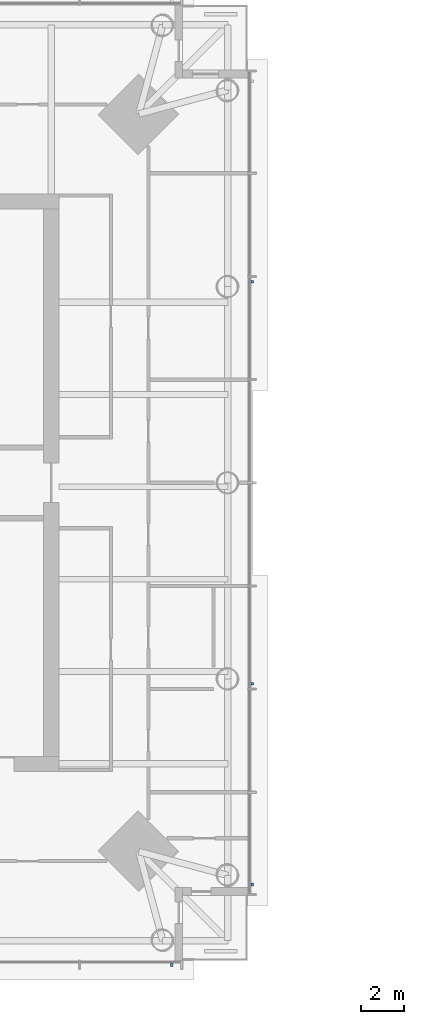
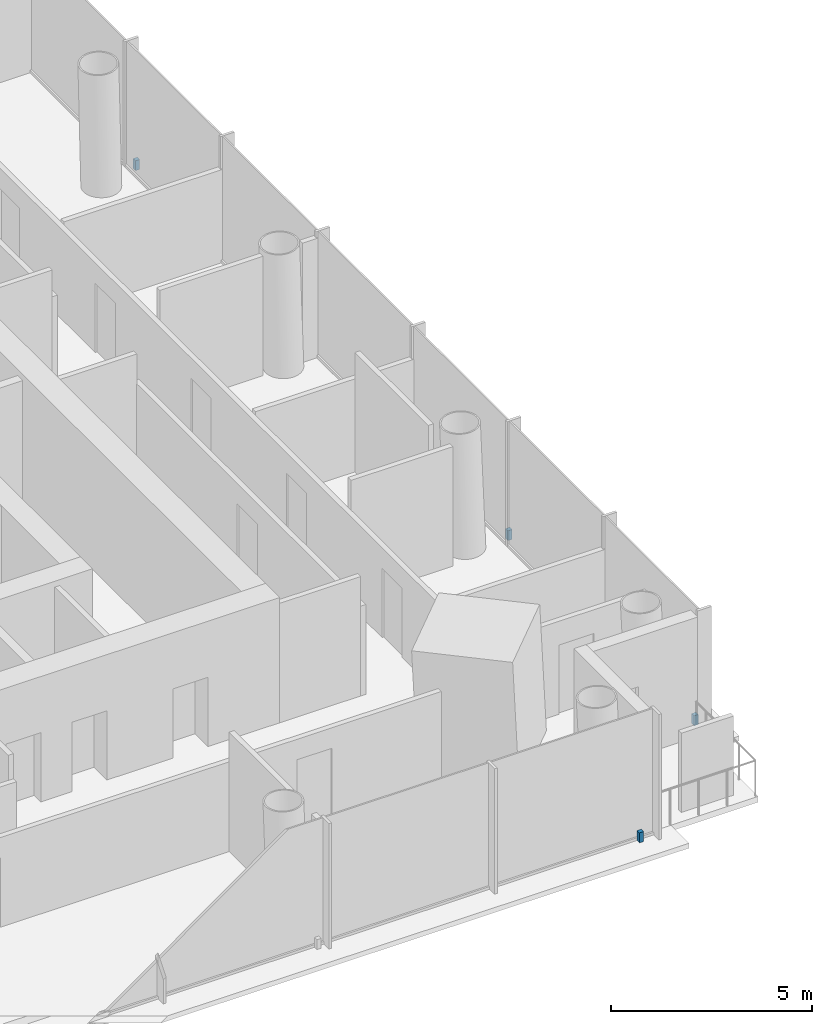
# One storey, part 20 of 27: 4 discrete accessories.
"""IFC4 building model written with IfcOpenShell, lengths in metres."""

from ifc_helpers import new_model, si_unit, direction, frame, origin, origin_2d, place, context, subcontext, project, spatial, rectangle, extrude, material, type_object, element, save


model = new_model("IFC4")

# Units and contexts
model_context = context("Model", 3, precision=1e-05, world=origin(), true_north=direction((0.0, 1.0)))
body_context = subcontext(model_context, "Body", "Model", "MODEL_VIEW")
ifc_project = project(units=[si_unit("LENGTHUNIT", "METRE"), si_unit("AREAUNIT", "SQUARE_METRE"), si_unit("VOLUMEUNIT", "CUBIC_METRE"), si_unit("PLANEANGLEUNIT", "RADIAN"), si_unit("MASSUNIT", "GRAM", prefix="KILO")], contexts=[model_context])

# Site, building, storey
site_placement = place(None, origin())
site = spatial("IfcSite", under=ifc_project, at=site_placement, CompositionType="ELEMENT")
building_placement = place(site_placement, origin())
building = spatial("IfcBuilding", under=site, at=building_placement, Name="Ostroluk Exchange", CompositionType="ELEMENT")
storey_placement = place(building_placement, frame((0.0, 0.0, 112.199951171875)))
storey = spatial("IfcBuildingStorey", under=building, at=storey_placement, Name="L28", CompositionType="ELEMENT", Elevation=112.199951171875)

# Discrete accessories
ifc_material = material(Name="Stainless steel", Category="steel")
discrete_accessory_type = type_object("IfcDiscreteAccessoryType", Name="Fall-arrest anchor PN-EN 795 type C", PredefinedType="USERDEFINED", material=ifc_material)
for number, where, z_axis, x_axis, name in (
    (1, (63.5, 23.7900390625, 0.0), (0.0, 0.0, 1.0), (1.0, 0.0, 0.0), "Fall-arrest anchor L28 south 5"),
    (2, (67.2099609375, 27.5, 0.0), (0.0, 0.0, 1.0), (1.0, 0.0, 0.0), "Fall-arrest anchor L28 east 1"),
    (3, (67.2099609375, 36.75, 0.0), (0.0, 0.0, 1.0), (1.0, 0.0, 0.0), "Fall-arrest anchor L28 east 2"),
    (4, (67.2099609375, 55.25, 0.0), (0.0, 0.0, 1.0), (1.0, 0.0, 0.0), "Fall-arrest anchor L28 east 4"),
):
    element("IfcDiscreteAccessory", number, at=place(storey_placement, frame(where, z_axis=z_axis, x_axis=x_axis)), inside=storey, type_object=discrete_accessory_type, Name=name, ObjectType="FALL ARREST ANCHOR", PredefinedType="USERDEFINED", context=body_context, shape_type="SweptSolid", body=[
        extrude(rectangle(XDim=0.1201171875, YDim=0.1201171875, at=origin_2d()), origin(), (0.0, 0.0, 1.0), 0.300048828125),
    ])

save(model, "model.ifc")
